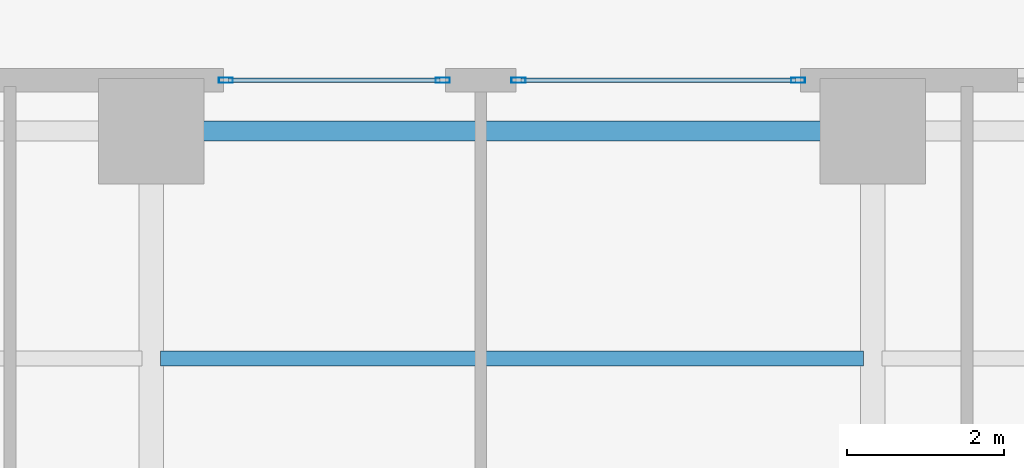
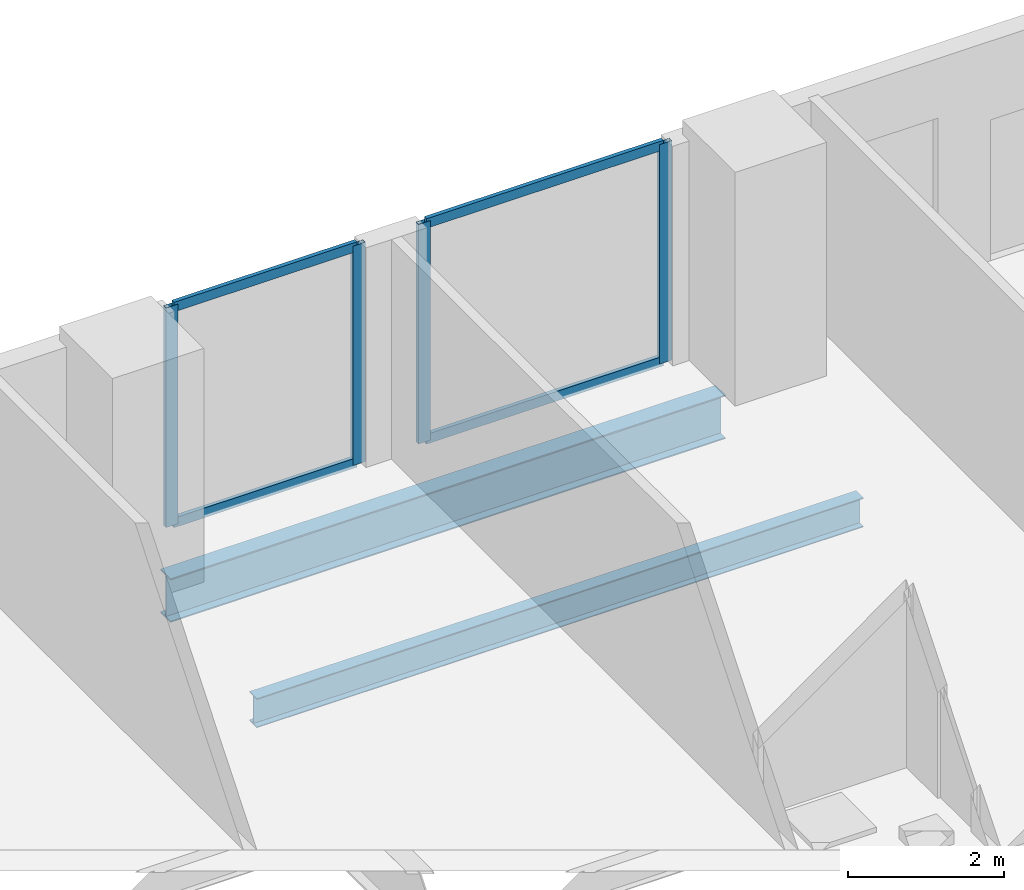
# One storey, part 16 of 27: 8 members, 2 beams, 2 elements without a shape of their own.
"""IFC4 building model written with IfcOpenShell, lengths in metres."""

from ifc_helpers import new_model, si_unit, direction, frame, origin, origin_2d, place, context, subcontext, project, spatial, hollow_rectangle, i_section, extrude, material, layer, layer_set, material_profile, profile_set, type_object, element, aggregate, save


model = new_model("IFC4")

# Units and contexts
model_context = context("Model", 3, precision=1e-05, world=origin(), true_north=direction((0.0, 1.0)))
body_context = subcontext(model_context, "Body", "Model", "MODEL_VIEW")
ifc_project = project(units=[si_unit("LENGTHUNIT", "METRE"), si_unit("AREAUNIT", "SQUARE_METRE"), si_unit("VOLUMEUNIT", "CUBIC_METRE"), si_unit("PLANEANGLEUNIT", "RADIAN"), si_unit("MASSUNIT", "GRAM", prefix="KILO")], contexts=[model_context])

# Site, building, storey
site_placement = place(None, origin())
site = spatial("IfcSite", under=ifc_project, at=site_placement, CompositionType="ELEMENT")
building_placement = place(site_placement, origin())
building = spatial("IfcBuilding", under=site, at=building_placement, Name="Zuhayl Quay Hotel", CompositionType="ELEMENT")
storey_placement = place(building_placement, frame((0.0, 0.0, 102.949951171875)))
storey = spatial("IfcBuildingStorey", under=building, at=storey_placement, Name="L25", CompositionType="ELEMENT", Elevation=102.949951171875)

# Beams
ifc_material_1 = material(Name="Steel ASTM A992 Grade 50", Category="steel")
ifc_material_profile_1 = material_profile(ifc_material_1, i_section(OverallWidth=0.25390625, OverallDepth=0.68310546875, WebThickness=0.012451171875, FlangeThickness=0.018798828125, at=origin_2d()), Name="W27X94")
ifc_profile_set_1 = profile_set([ifc_material_profile_1], Name="Steel ASTM A992 Grade 50")
beam_type_1 = type_object("IfcBeamType", Name="BM_B2_W27X94", PredefinedType="BEAM", material=ifc_profile_set_1)
beam_1_placement = place(storey_placement, frame((4.10009765625, 27.75, -0.5615234375), z_axis=(-1.0, 0.0, 0.0), x_axis=(0.0, -1.0, 0.0)))
element("IfcBeam", 1, at=beam_1_placement, inside=storey, type_object=beam_type_1, Name="L25 Floor Beam RG_L25_08", PredefinedType="BEAM", context=body_context, shape_type="SweptSolid", body=[
    extrude(i_section(OverallWidth=0.25390625, OverallDepth=0.68310546875, WebThickness=0.012451171875, FlangeThickness=0.018798828125, at=origin_2d()), origin(), (0.0, 0.0, 1.0), 8.2001953125),
])
ifc_material_profile_2 = material_profile(ifc_material_1, i_section(OverallWidth=0.18994140625, OverallDepth=0.45703125, WebThickness=0.009033203125, FlangeThickness=0.014404296875, at=origin_2d()), Name="W18X50")
ifc_profile_set_2 = profile_set([ifc_material_profile_2], Name="Steel ASTM A992 Grade 50")
beam_type_2 = type_object("IfcBeamType", Name="BM_J2_W18X50", PredefinedType="JOIST", material=ifc_profile_set_2)
beam_2_placement = place(storey_placement, frame((-4.48095703125, 24.85009765625, -0.448486328125), z_axis=(1.0, 0.0, 0.0), x_axis=(0.0, 1.0, 0.0)))
element("IfcBeam", 2, at=beam_2_placement, inside=storey, type_object=beam_type_2, Name="L25 Floor Beam FJ_L25_4_2", PredefinedType="JOIST", context=body_context, shape_type="SweptSolid", body=[
    extrude(i_section(OverallWidth=0.18994140625, OverallDepth=0.45703125, WebThickness=0.009033203125, FlangeThickness=0.014404296875, at=origin_2d()), origin(), (0.0, 0.0, 1.0), 8.9619140625),
])

# Curtain wall, members
ifc_material_2 = material(Name="Anodised Aluminium 6063-T6", Category="aluminium")
ifc_layer = layer(ifc_material_2, 0.179931640625, Name="Anodised Aluminium 6063-T6", Category="aluminium")
ifc_layer_set = layer_set([ifc_layer], Name="Anodised Aluminium 6063-T6")
curtain_wall_type = type_object("IfcCurtainWallType", Name="CW_SYS_Z2", PredefinedType="USERDEFINED", material=ifc_layer_set)
curtain_wall_1_placement = place(storey_placement, origin())
curtain_wall_1 = element("IfcCurtainWall", 3, at=curtain_wall_1_placement, inside=storey, type_object=curtain_wall_type, Name="L25 Curtain Wall ENV_L25_N_CW2", ObjectType="UNITISED CURTAIN WALL", PredefinedType="USERDEFINED")
ifc_material_3 = material(Name="Black-anodised aluminium 6063-T6", Category="aluminium")
ifc_material_profile_3 = material_profile(ifc_material_3, hollow_rectangle(XDim=0.06494140625, YDim=0.179931640625, WallThickness=0.00341796875, at=origin_2d()), Name="ALU180X65")
ifc_profile_set_3 = profile_set([ifc_material_profile_3], Name="Black-anodised aluminium 6063-T6")
member_type_1 = type_object("IfcMemberType", Name="MB_CW_MUL_180", PredefinedType="MULLION", material=ifc_profile_set_3)
member_1_placement = place(storey_placement, frame((-3.6474609375, 28.39990234375, 0.0), z_axis=(0.0, 0.0, 1.0), x_axis=(0.0, 1.0, 0.0)))
member_1 = element("IfcMember", 4, at=member_1_placement, type_object=member_type_1, Name="CW-Z2 mullion 1", PredefinedType="MULLION", context=body_context, shape_type="SweptSolid", body=[
    extrude(hollow_rectangle(XDim=0.06494140625, YDim=0.179931640625, WallThickness=0.00341796875, at=origin_2d()), origin(), (0.0, 0.0, 1.0), 3.429931640625),
])
member_2_placement = place(storey_placement, frame((-0.882568359375, 28.39990234375, 0.0), z_axis=(0.0, 0.0, 1.0), x_axis=(0.0, 1.0, 0.0)))
member_2 = element("IfcMember", 5, at=member_2_placement, type_object=member_type_1, Name="CW-Z2 mullion 2", PredefinedType="MULLION", context=body_context, shape_type="SweptSolid", body=[
    extrude(hollow_rectangle(XDim=0.06494140625, YDim=0.179931640625, WallThickness=0.00341796875, at=origin_2d()), origin(), (0.0, 0.0, 1.0), 3.429931640625),
])

curtain_wall_2_placement = place(storey_placement, origin())
curtain_wall_2 = element("IfcCurtainWall", 6, at=curtain_wall_2_placement, inside=storey, type_object=curtain_wall_type, Name="L25 Curtain Wall ENV_L25_N_CW3", ObjectType="UNITISED CURTAIN WALL", PredefinedType="USERDEFINED")
member_3_placement = place(storey_placement, frame((0.08251953125, 28.39990234375, 0.0), z_axis=(0.0, 0.0, 1.0), x_axis=(0.0, 1.0, 0.0)))
member_3 = element("IfcMember", 7, at=member_3_placement, type_object=member_type_1, Name="CW-Z2 mullion 1", PredefinedType="MULLION", context=body_context, shape_type="SweptSolid", body=[
    extrude(hollow_rectangle(XDim=0.06494140625, YDim=0.179931640625, WallThickness=0.00341796875, at=origin_2d()), origin(), (0.0, 0.0, 1.0), 3.429931640625),
])
member_4_placement = place(storey_placement, frame((3.6474609375, 28.39990234375, 0.0), z_axis=(0.0, 0.0, 1.0), x_axis=(0.0, 1.0, 0.0)))
member_4 = element("IfcMember", 8, at=member_4_placement, type_object=member_type_1, Name="CW-Z2 mullion 2", PredefinedType="MULLION", context=body_context, shape_type="SweptSolid", body=[
    extrude(hollow_rectangle(XDim=0.06494140625, YDim=0.179931640625, WallThickness=0.00341796875, at=origin_2d()), origin(), (0.0, 0.0, 1.0), 3.429931640625),
])

# Member
ifc_material_profile_4 = material_profile(ifc_material_3, hollow_rectangle(XDim=0.06005859375, YDim=0.14990234375, WallThickness=0.00341796875, at=origin_2d()), Name="ALU150X60")
ifc_profile_set_4 = profile_set([ifc_material_profile_4], Name="Black-anodised aluminium 6063-T6")
member_type_2 = type_object("IfcMemberType", Name="MB_CW_TRN_150", PredefinedType="USERDEFINED", material=ifc_profile_set_4)
member_5_placement = place(storey_placement, frame((-3.614990234375, 28.39990234375, 0.030029296875), z_axis=(1.0, 0.0, 0.0), x_axis=(0.0, 1.0, 0.0)))
member_5 = element("IfcMember", 9, at=member_5_placement, type_object=member_type_2, Name="CW-Z2 transom 1.1", ObjectType="TRANSOM", PredefinedType="USERDEFINED", context=body_context, shape_type="SweptSolid", body=[
    extrude(hollow_rectangle(XDim=0.06005859375, YDim=0.14990234375, WallThickness=0.00341796875, at=origin_2d()), origin(), (0.0, 0.0, 1.0), 2.699951171875),
])

member_6_placement = place(storey_placement, frame((-3.614990234375, 28.39990234375, 3.400146484375), z_axis=(1.0, 0.0, 0.0), x_axis=(0.0, 1.0, 0.0)))
member_6 = element("IfcMember", 10, at=member_6_placement, type_object=member_type_2, Name="CW-Z2 transom 1.2", ObjectType="TRANSOM", PredefinedType="USERDEFINED", context=body_context, shape_type="SweptSolid", body=[
    extrude(hollow_rectangle(XDim=0.06005859375, YDim=0.14990234375, WallThickness=0.00341796875, at=origin_2d()), origin(), (0.0, 0.0, 1.0), 2.699951171875),
])

aggregate(curtain_wall_1, [member_1, member_2, member_5, member_6])

member_7_placement = place(storey_placement, frame((0.114990234375, 28.39990234375, 0.030029296875), z_axis=(1.0, 0.0, 0.0), x_axis=(0.0, 1.0, 0.0)))
member_7 = element("IfcMember", 11, at=member_7_placement, type_object=member_type_2, Name="CW-Z2 transom 1.1", ObjectType="TRANSOM", PredefinedType="USERDEFINED", context=body_context, shape_type="SweptSolid", body=[
    extrude(hollow_rectangle(XDim=0.06005859375, YDim=0.14990234375, WallThickness=0.00341796875, at=origin_2d()), origin(), (0.0, 0.0, 1.0), 3.5),
])

member_8_placement = place(storey_placement, frame((0.114990234375, 28.39990234375, 3.400146484375), z_axis=(1.0, 0.0, 0.0), x_axis=(0.0, 1.0, 0.0)))
member_8 = element("IfcMember", 12, at=member_8_placement, type_object=member_type_2, Name="CW-Z2 transom 1.2", ObjectType="TRANSOM", PredefinedType="USERDEFINED", context=body_context, shape_type="SweptSolid", body=[
    extrude(hollow_rectangle(XDim=0.06005859375, YDim=0.14990234375, WallThickness=0.00341796875, at=origin_2d()), origin(), (0.0, 0.0, 1.0), 3.5),
])

aggregate(curtain_wall_2, [member_3, member_4, member_7, member_8])

save(model, "model.ifc")
